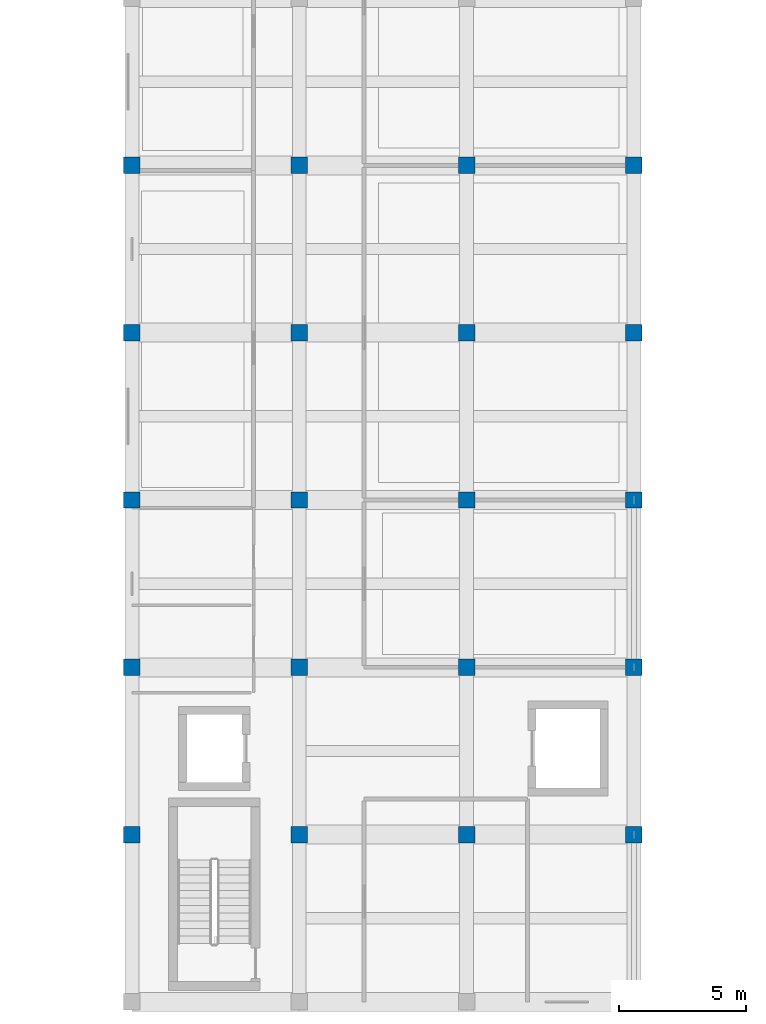
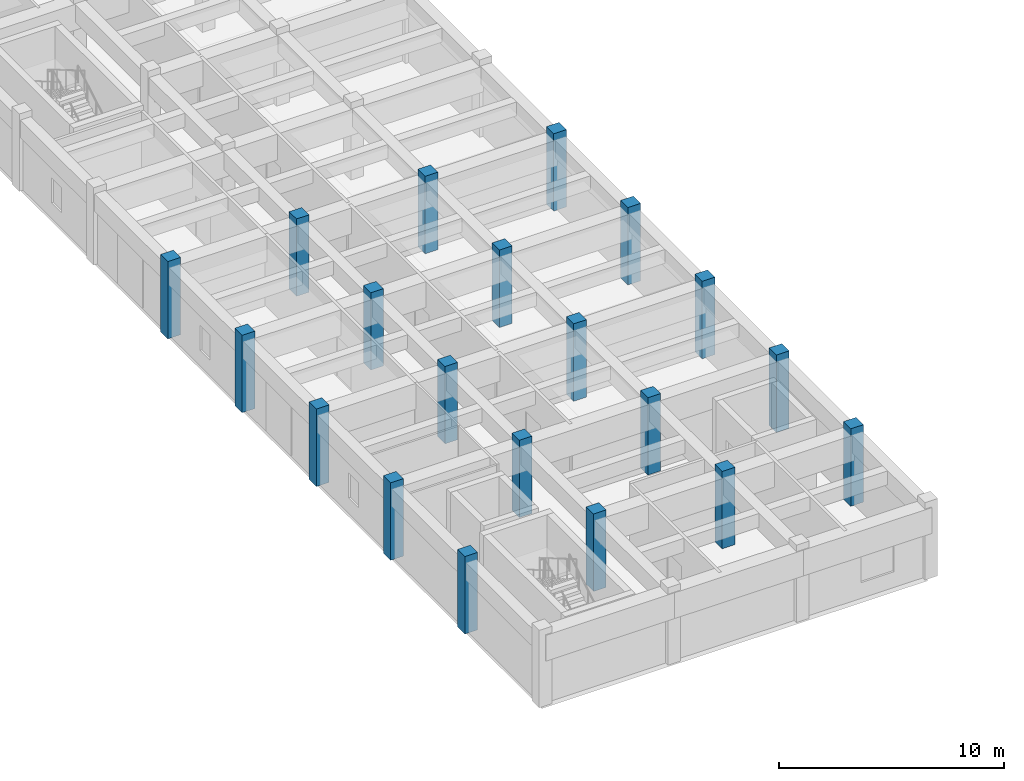
# One storey, part 14 of 147: 20 columns.
"""IFC4 building model written with IfcOpenShell, lengths in metres."""

from ifc_helpers import new_model, si_unit, direction, frame, origin, origin_2d, place, context, subcontext, project, spatial, rectangle, extrude, material, material_profile, profile_set, type_object, element, save


model = new_model("IFC4")

# Units and contexts
model_context = context("Model", 3, precision=1e-05, world=origin(), true_north=direction((0.0, 1.0)))
body_context = subcontext(model_context, "Body", "Model", "MODEL_VIEW")
ifc_project = project(units=[si_unit("LENGTHUNIT", "METRE"), si_unit("AREAUNIT", "SQUARE_METRE"), si_unit("VOLUMEUNIT", "CUBIC_METRE"), si_unit("PLANEANGLEUNIT", "RADIAN"), si_unit("MASSUNIT", "GRAM", prefix="KILO")], contexts=[model_context])

# Site, building, storey
site_placement = place(None, origin())
site = spatial("IfcSite", under=ifc_project, at=site_placement, CompositionType="ELEMENT")
building_placement = place(site_placement, origin())
building = spatial("IfcBuilding", under=site, at=building_placement, Name="Karori Crest Natural Sciences Institute", CompositionType="ELEMENT")
storey_placement = place(building_placement, frame((0.0, 0.0, 9.10009765625)))
storey = spatial("IfcBuildingStorey", under=building, at=storey_placement, Name="L02", CompositionType="ELEMENT", Elevation=9.10009765625)

# Columns
ifc_material = material(Name="Concrete 50 MPa", Category="concrete")
ifc_material_profile_1 = material_profile(ifc_material, rectangle(XDim=0.64990234375, YDim=0.64990234375, at=origin_2d()), Name="RC650x650")
ifc_profile_set_1 = profile_set([ifc_material_profile_1], Name="Concrete 50 MPa")
column_type_1 = type_object("IfcColumnType", Name="CT-19", PredefinedType="COLUMN", material=ifc_profile_set_1)
for number, where, z_axis, x_axis, name in (
    (1, (7.39990234375, 101.60009765625, 0.0), (0.0, 0.0, 1.0), (1.0, 0.0, 0.0), "Column C-0720"),
    (2, (7.39990234375, 108.199951171875, 0.0), (0.0, 0.0, 1.0), (1.0, 0.0, 0.0), "Column C-0728"),
    (3, (7.39990234375, 114.800048828125, 0.0), (0.0, 0.0, 1.0), (1.0, 0.0, 0.0), "Column C-0736"),
    (4, (7.39990234375, 121.39990234375, 0.0), (0.0, 0.0, 1.0), (1.0, 0.0, 0.0), "Column C-0744"),
    (5, (7.39990234375, 128.0, 0.0), (0.0, 0.0, 1.0), (1.0, 0.0, 0.0), "Column C-0751"),
    (6, (27.199951171875, 101.60009765625, 0.0), (0.0, 0.0, 1.0), (1.0, 0.0, 0.0), "Column C-0951"),
    (7, (27.199951171875, 108.199951171875, 0.0), (0.0, 0.0, 1.0), (1.0, 0.0, 0.0), "Column C-0959"),
    (8, (27.199951171875, 114.800048828125, 0.0), (0.0, 0.0, 1.0), (1.0, 0.0, 0.0), "Column C-0967"),
    (9, (27.199951171875, 121.39990234375, 0.0), (0.0, 0.0, 1.0), (1.0, 0.0, 0.0), "Column C-0975"),
    (10, (27.199951171875, 128.0, 0.0), (0.0, 0.0, 1.0), (1.0, 0.0, 0.0), "Column C-0982"),
):
    element("IfcColumn", number, at=place(storey_placement, frame(where, z_axis=z_axis, x_axis=x_axis)), inside=storey, type_object=column_type_1, Name=name, PredefinedType="COLUMN", context=body_context, shape_type="SweptSolid", body=[
        extrude(rectangle(XDim=0.64990234375, YDim=0.64990234375, at=origin_2d()), origin(), (0.0, 0.0, 1.0), 4.199951171875),
    ])
ifc_material_profile_2 = material_profile(ifc_material, rectangle(XDim=0.64990234375, YDim=0.64990234375, at=origin_2d()), Name="RC650x650")
ifc_profile_set_2 = profile_set([ifc_material_profile_2], Name="Concrete 50 MPa")
column_type_2 = type_object("IfcColumnType", Name="CT-19-IL", PredefinedType="COLUMN", material=ifc_profile_set_2)
for number, where, z_axis, x_axis, name in (
    (11, (14.0, 101.60009765625, 0.0), (0.0, 0.0, 1.0), (1.0, 0.0, 0.0), "Column C-0797"),
    (12, (14.0, 108.199951171875, 0.0), (0.0, 0.0, 1.0), (1.0, 0.0, 0.0), "Column C-0805"),
    (13, (14.0, 114.800048828125, 0.0), (0.0, 0.0, 1.0), (1.0, 0.0, 0.0), "Column C-0813"),
    (14, (14.0, 121.39990234375, 0.0), (0.0, 0.0, 1.0), (1.0, 0.0, 0.0), "Column C-0821"),
    (15, (14.0, 128.0, 0.0), (0.0, 0.0, 1.0), (1.0, 0.0, 0.0), "Column C-0828"),
    (16, (20.60009765625, 101.60009765625, 0.0), (0.0, 0.0, 1.0), (1.0, 0.0, 0.0), "Column C-0874"),
    (17, (20.60009765625, 108.199951171875, 0.0), (0.0, 0.0, 1.0), (1.0, 0.0, 0.0), "Column C-0882"),
    (18, (20.60009765625, 114.800048828125, 0.0), (0.0, 0.0, 1.0), (1.0, 0.0, 0.0), "Column C-0890"),
    (19, (20.60009765625, 121.39990234375, 0.0), (0.0, 0.0, 1.0), (1.0, 0.0, 0.0), "Column C-0898"),
    (20, (20.60009765625, 128.0, 0.0), (0.0, 0.0, 1.0), (1.0, 0.0, 0.0), "Column C-0905"),
):
    element("IfcColumn", number, at=place(storey_placement, frame(where, z_axis=z_axis, x_axis=x_axis)), inside=storey, type_object=column_type_2, Name=name, PredefinedType="COLUMN", context=body_context, shape_type="SweptSolid", body=[
        extrude(rectangle(XDim=0.64990234375, YDim=0.64990234375, at=origin_2d()), origin(), (0.0, 0.0, 1.0), 4.199951171875),
    ])

save(model, "model.ifc")
